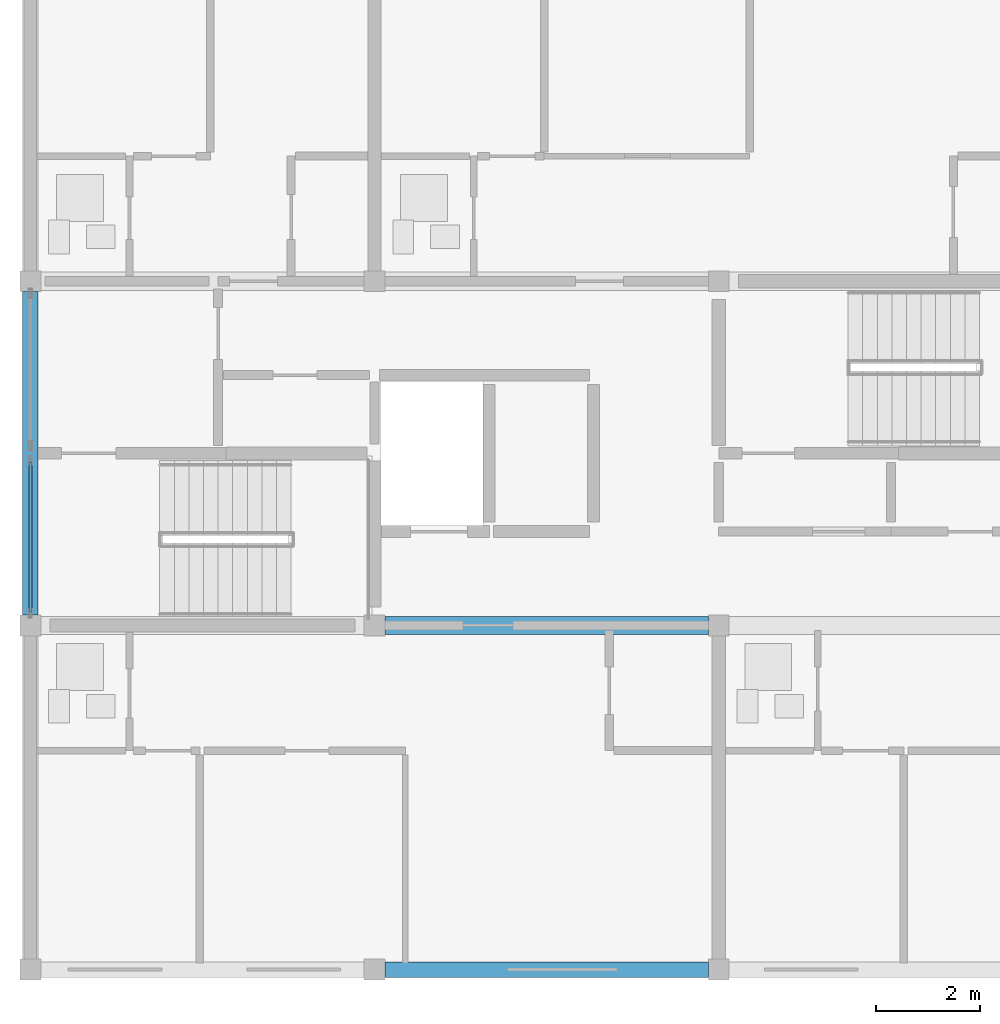
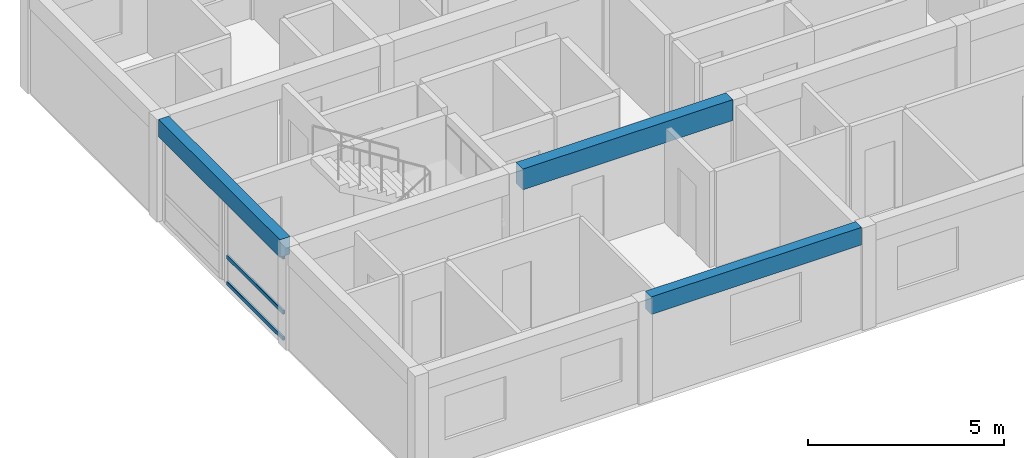
# One storey, part 3 of 23: 3 beams, 3 members, 1 element without a shape of its own.
"""IFC4 building model written with IfcOpenShell, lengths in metres."""

from ifc_helpers import new_model, si_unit, direction, frame, origin, origin_2d, place, context, subcontext, project, spatial, rectangle, hollow_rectangle, extrude, material, material_profile, profile_set, type_object, element, aggregate, save


model = new_model("IFC4")

# Units and contexts
model_context = context("Model", 3, precision=1e-05, world=origin(), true_north=direction((0.0, 1.0)))
body_context = subcontext(model_context, "Body", "Model", "MODEL_VIEW")
ifc_project = project(units=[si_unit("LENGTHUNIT", "METRE"), si_unit("AREAUNIT", "SQUARE_METRE"), si_unit("VOLUMEUNIT", "CUBIC_METRE"), si_unit("PLANEANGLEUNIT", "RADIAN"), si_unit("MASSUNIT", "GRAM", prefix="KILO")], contexts=[model_context])

# Site, building, storey
site_placement = place(None, origin())
site = spatial("IfcSite", under=ifc_project, at=site_placement, CompositionType="ELEMENT")
building_placement = place(site_placement, origin())
building = spatial("IfcBuilding", under=site, at=building_placement, Name="Kernevlak Ridge Housing Community", CompositionType="ELEMENT")
storey_placement = place(building_placement, frame((0.0, 0.0, 46.800048828125)))
storey = spatial("IfcBuildingStorey", under=building, at=storey_placement, Name="L14", CompositionType="ELEMENT", Elevation=46.800048828125)

# Beams
ifc_material_1 = material(Name="Concrete C35/45", Category="concrete")
ifc_material_profile_1 = material_profile(ifc_material_1, rectangle(XDim=0.35009765625, YDim=0.64990234375, at=origin_2d()), Name="RC 350x650")
ifc_profile_set_1 = profile_set([ifc_material_profile_1], Name="Concrete C35/45")
beam_type_1 = type_object("IfcBeamType", Name="B-02", PredefinedType="BEAM", material=ifc_profile_set_1)
beam_1_placement = place(storey_placement, frame((22.39990234375, 82.60009765625, 2.875), z_axis=(1.0, 0.0, 0.0), x_axis=(0.0, 1.0, 0.0)))
element("IfcBeam", 1, at=beam_1_placement, inside=storey, type_object=beam_type_1, Name="Beam B-02 L14 427", PredefinedType="BEAM", context=body_context, shape_type="SweptSolid", body=[
    extrude(rectangle(XDim=0.35009765625, YDim=0.64990234375, at=origin_2d()), origin(), (0.0, 0.0, 1.0), 6.2001953125),
])
ifc_material_profile_2 = material_profile(ifc_material_1, rectangle(XDim=0.300048828125, YDim=0.550048828125, at=origin_2d()), Name="RC 300x550")
ifc_profile_set_2 = profile_set([ifc_material_profile_2], Name="Concrete C35/45")
beam_type_2 = type_object("IfcBeamType", Name="SP-01", PredefinedType="SPANDREL", material=ifc_profile_set_2)
beam_2_placement = place(storey_placement, frame((22.39990234375, 76.0, 2.925048828125), z_axis=(1.0, 0.0, 0.0), x_axis=(0.0, 1.0, 0.0)))
element("IfcBeam", 2, at=beam_2_placement, inside=storey, type_object=beam_type_2, Name="Beam SP-01 L14 422", PredefinedType="SPANDREL", context=body_context, shape_type="SweptSolid", body=[
    extrude(rectangle(XDim=0.300048828125, YDim=0.550048828125, at=origin_2d()), origin(), (0.0, 0.0, 1.0), 6.2001953125),
])
beam_3_placement = place(storey_placement, frame((15.60009765625, 82.800048828125, 2.925048828125), z_axis=(0.0, 1.0, 0.0), x_axis=(-1.0, 0.0, 0.0)))
element("IfcBeam", 3, at=beam_3_placement, inside=storey, type_object=beam_type_2, Name="Beam SP-01 L14 442", PredefinedType="SPANDREL", context=body_context, shape_type="SweptSolid", body=[
    extrude(rectangle(XDim=0.300048828125, YDim=0.550048828125, at=origin_2d()), origin(), (0.0, 0.0, 1.0), 6.199951171875),
])

# Curtain wall, members
ifc_material_2 = material(Name="Aluminium EN AW-6060 anodised and laminated glass", Category="aluminium")
curtain_wall_type = type_object("IfcCurtainWallType", Name="CW-01", PredefinedType="NOTDEFINED", material=ifc_material_2)
curtain_wall_placement = place(storey_placement, origin())
curtain_wall = element("IfcCurtainWall", 4, at=curtain_wall_placement, inside=storey, type_object=curtain_wall_type, Name="Curtain wall CW-01 CW-L14-043", PredefinedType="NOTDEFINED")
ifc_material_3 = material(Name="Aluminium EN AW-6060 anodised", Category="aluminium")
ifc_material_profile_3 = material_profile(ifc_material_3, hollow_rectangle(XDim=0.06005859375, YDim=0.1201171875, WallThickness=0.00390625, InnerFilletRadius=0.001953125, OuterFilletRadius=0.00390625, at=origin_2d()), Name="ALU 60x120x4")
ifc_profile_set_3 = profile_set([ifc_material_profile_3], Name="Aluminium EN AW-6060 anodised")
member_type = type_object("IfcMemberType", Name="TM-02", PredefinedType="USERDEFINED", material=ifc_profile_set_3)
member_1_placement = place(storey_placement, frame((15.60009765625, 82.860107421875, 0.030029296875), z_axis=(0.0, 1.0, 0.0), x_axis=(-1.0, 0.0, 0.0)))
member_1 = element("IfcMember", 5, at=member_1_placement, type_object=member_type, Name="CW-01 transom 1.1", ObjectType="TRANSOM", PredefinedType="USERDEFINED", context=body_context, shape_type="SweptSolid", body=[
    extrude(hollow_rectangle(XDim=0.06005859375, YDim=0.1201171875, WallThickness=0.00390625, InnerFilletRadius=0.001953125, OuterFilletRadius=0.00390625, at=origin_2d()), origin(), (0.0, 0.0, 1.0), 2.869873046875),
])
member_2_placement = place(storey_placement, frame((15.60009765625, 82.860107421875, 0.849853515625), z_axis=(0.0, 1.0, 0.0), x_axis=(-1.0, 0.0, 0.0)))
member_2 = element("IfcMember", 6, at=member_2_placement, type_object=member_type, Name="CW-01 transom 1.2", ObjectType="TRANSOM", PredefinedType="USERDEFINED", context=body_context, shape_type="SweptSolid", body=[
    extrude(hollow_rectangle(XDim=0.06005859375, YDim=0.1201171875, WallThickness=0.00390625, InnerFilletRadius=0.001953125, OuterFilletRadius=0.00390625, at=origin_2d()), origin(), (0.0, 0.0, 1.0), 2.869873046875),
])
member_3_placement = place(storey_placement, frame((15.60009765625, 82.860107421875, 2.570068359375), z_axis=(0.0, 1.0, 0.0), x_axis=(-1.0, 0.0, 0.0)))
member_3 = element("IfcMember", 7, at=member_3_placement, type_object=member_type, Name="CW-01 transom 1.3", ObjectType="TRANSOM", PredefinedType="USERDEFINED", context=body_context, shape_type="SweptSolid", body=[
    extrude(hollow_rectangle(XDim=0.06005859375, YDim=0.1201171875, WallThickness=0.00390625, InnerFilletRadius=0.001953125, OuterFilletRadius=0.00390625, at=origin_2d()), origin(), (0.0, 0.0, 1.0), 2.869873046875),
])
aggregate(curtain_wall, [member_1, member_2, member_3])

save(model, "model.ifc")
